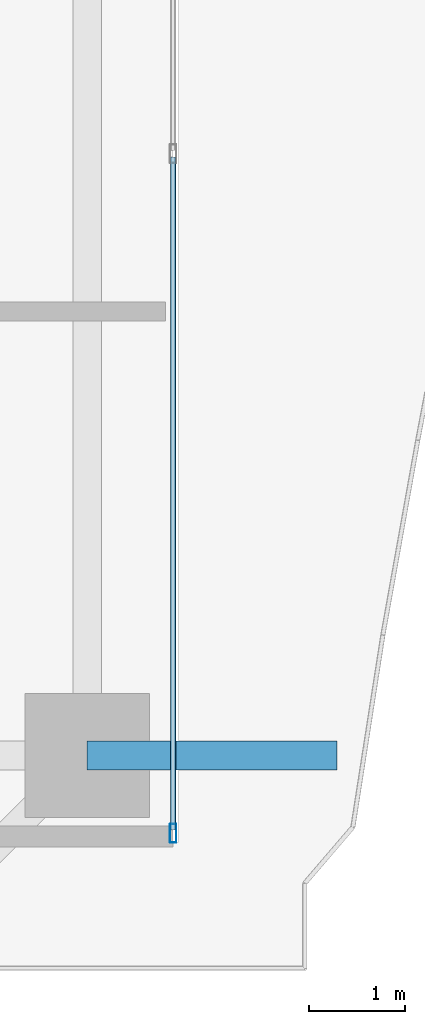
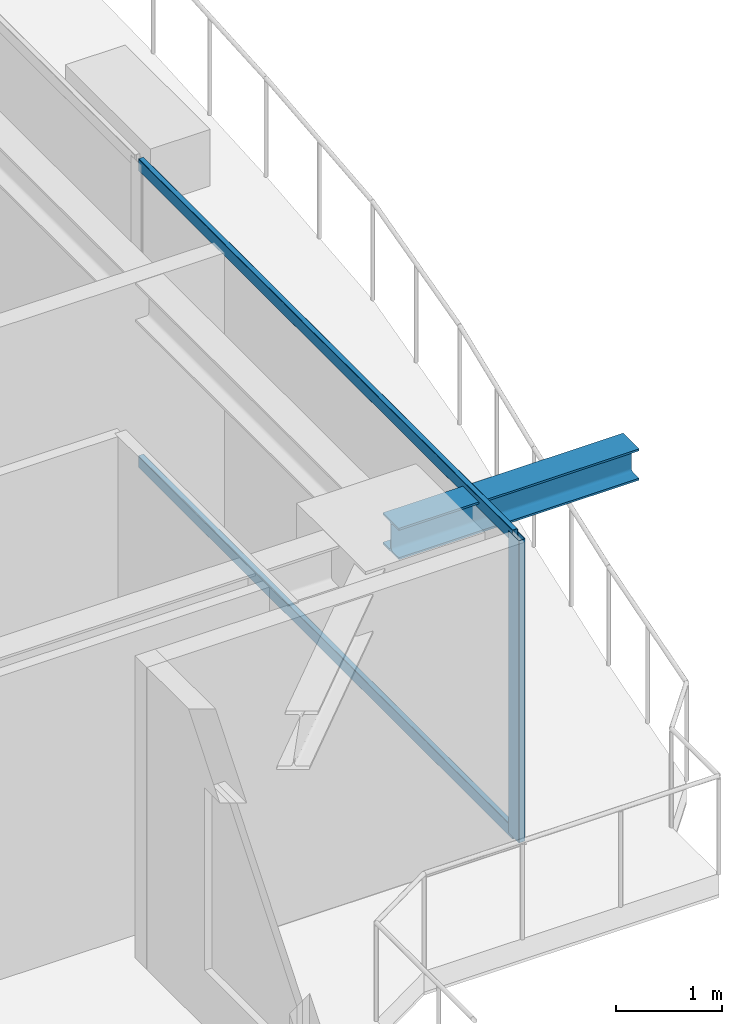
# One storey, part 13 of 38: 3 members, 1 beam, 1 element without a shape of its own.
"""IFC4 building model written with IfcOpenShell, lengths in metres."""

from ifc_helpers import new_model, si_unit, direction, frame, origin, origin_2d, place, context, subcontext, project, spatial, hollow_rectangle, i_section, extrude, source, transform, mapped, material, layer, layer_set, material_profile, profile_set, type_object, element, aggregate, save


model = new_model("IFC4")

# Units and contexts
model_context = context("Model", 3, precision=1e-05, world=origin(), true_north=direction((0.0, 1.0)))
body_context = subcontext(model_context, "Body", "Model", "MODEL_VIEW")
ifc_project = project(units=[si_unit("LENGTHUNIT", "METRE"), si_unit("AREAUNIT", "SQUARE_METRE"), si_unit("VOLUMEUNIT", "CUBIC_METRE"), si_unit("PLANEANGLEUNIT", "RADIAN"), si_unit("MASSUNIT", "GRAM", prefix="KILO")], contexts=[model_context])

# Site, building, storey
site_placement = place(None, origin())
site = spatial("IfcSite", under=ifc_project, at=site_placement, CompositionType="ELEMENT")
building_placement = place(site_placement, origin())
building = spatial("IfcBuilding", under=site, at=building_placement, Name="Serunith Strait Residences", CompositionType="ELEMENT")
storey_placement = place(building_placement, frame((0.0, 0.0, 176.39990234375)))
storey = spatial("IfcBuildingStorey", under=building, at=storey_placement, Name="L44", CompositionType="ELEMENT", Elevation=176.39990234375)

# Beam
ifc_material_1 = material(Name="Steel S355J2", Category="steel")
ifc_material_profile_1 = material_profile(ifc_material_1, i_section(OverallWidth=0.300048828125, OverallDepth=0.360107421875, WebThickness=0.012451171875, FlangeThickness=0.0224609375, FilletRadius=0.027099609375, at=origin_2d()), Name="HEB 360")
ifc_profile_set_1 = profile_set([ifc_material_profile_1], Name="Steel S355J2")
beam_type = type_object("IfcBeamType", Name="BM-HEB360", PredefinedType="BEAM", material=ifc_profile_set_1)
shared_shape_1 = source(origin(), body_context, "Body", "SweptSolid", [
    extrude(i_section(OverallWidth=0.300048828125, OverallDepth=0.360107421875, WebThickness=0.012451171875, FlangeThickness=0.0224609375, FilletRadius=0.027099609375, at=origin_2d()), origin(), (0.0, 0.0, 1.0), 2.613525390625),
])
beam_placement = place(storey_placement, frame((56.10009765625, 10.25, 3.277099609375), z_axis=(1.0, 0.0, 0.0), x_axis=(0.0, 1.0, 0.0)))
element("IfcBeam", 1, at=beam_placement, inside=storey, type_object=beam_type, Name="L45 Cantilevered Balcony Rib TC-E1", PredefinedType="BEAM", context=body_context, shape_type="MappedRepresentation", body=[
    mapped(shared_shape_1, transform((0.0, 0.0, 0.0), scale=1.0)),
])

# Curtain wall, members
ifc_material_2 = material(Name="Pale-Champagne Anodised Aluminium", Category="aluminium")
ifc_layer = layer(ifc_material_2, 0.199951171875, Name="Pale-Champagne Anodised Aluminium")
ifc_layer_set = layer_set([ifc_layer], Name="Pale-Champagne Anodised Aluminium")
curtain_wall_type = type_object("IfcCurtainWallType", Name="CW-SYS2", PredefinedType="NOTDEFINED", material=ifc_layer_set)
curtain_wall_placement = place(storey_placement, origin())
curtain_wall = element("IfcCurtainWall", 2, at=curtain_wall_placement, inside=storey, type_object=curtain_wall_type, Name="L44 E Unitised Fritted Curtain Wall", PredefinedType="NOTDEFINED")
ifc_material_profile_2 = material_profile(ifc_material_2, hollow_rectangle(XDim=0.070068359375, YDim=0.199951171875, WallThickness=0.00390625, InnerFilletRadius=0.006103515625, OuterFilletRadius=0.010009765625, at=origin_2d()), Name="ALU 200x70x4")
ifc_profile_set_2 = profile_set([ifc_material_profile_2], Name="Pale-Champagne Anodised Aluminium")
member_type_1 = type_object("IfcMemberType", Name="CW-SYS2-MULL", PredefinedType="MULLION", material=ifc_profile_set_2)
shared_shape_2 = source(origin(), body_context, "Body", "SweptSolid", [
    extrude(hollow_rectangle(XDim=0.070068359375, YDim=0.199951171875, WallThickness=0.00390625, InnerFilletRadius=0.006103515625, OuterFilletRadius=0.010009765625, at=origin_2d()), origin(), (0.0, 0.0, 1.0), 3.47509765625),
])
member_1_placement = place(storey_placement, frame((57.0, 9.43505859375, 0.0), z_axis=(0.0, 0.0, 1.0), x_axis=(-1.0, 0.0, 0.0)))
member_1 = element("IfcMember", 3, at=member_1_placement, type_object=member_type_1, Name="CW-2 mullion 1", PredefinedType="MULLION", context=body_context, shape_type="MappedRepresentation", body=[
    mapped(shared_shape_2, transform((0.0, 0.0, 0.0), scale=1.0)),
])
ifc_material_profile_3 = material_profile(ifc_material_2, hollow_rectangle(XDim=0.06005859375, YDim=0.139892578125, WallThickness=0.00341796875, InnerFilletRadius=0.00537109375, OuterFilletRadius=0.0087890625, at=origin_2d()), Name="ALU 140x60x3.5")
ifc_profile_set_3 = profile_set([ifc_material_profile_3], Name="Pale-Champagne Anodised Aluminium")
member_type_2 = type_object("IfcMemberType", Name="CW-SYS2-TRAN", PredefinedType="USERDEFINED", material=ifc_profile_set_3)
shared_shape_3 = source(origin(), body_context, "Body", "SweptSolid", [
    extrude(hollow_rectangle(XDim=0.06005859375, YDim=0.139892578125, WallThickness=0.00341796875, InnerFilletRadius=0.00537109375, OuterFilletRadius=0.0087890625, at=origin_2d()), origin(), (0.0, 0.0, 1.0), 7.044921875),
])
member_2_placement = place(storey_placement, frame((57.0, 9.469970703125, 0.030029296875), z_axis=(0.0, 1.0, 0.0), x_axis=(-1.0, 0.0, 0.0)))
member_2 = element("IfcMember", 4, at=member_2_placement, type_object=member_type_2, Name="CW-2 transom 1.1", ObjectType="TRANSOM", PredefinedType="USERDEFINED", context=body_context, shape_type="MappedRepresentation", body=[
    mapped(shared_shape_3, transform((0.0, 0.0, 0.0), scale=1.0)),
])
member_3_placement = place(storey_placement, frame((57.0, 9.469970703125, 3.445068359375), z_axis=(0.0, 1.0, 0.0), x_axis=(-1.0, 0.0, 0.0)))
member_3 = element("IfcMember", 5, at=member_3_placement, type_object=member_type_2, Name="CW-2 transom 1.2", ObjectType="TRANSOM", PredefinedType="USERDEFINED", context=body_context, shape_type="MappedRepresentation", body=[
    mapped(shared_shape_3, transform((0.0, 0.0, 0.0), scale=1.0)),
])
aggregate(curtain_wall, [member_1, member_2, member_3])

save(model, "model.ifc")
